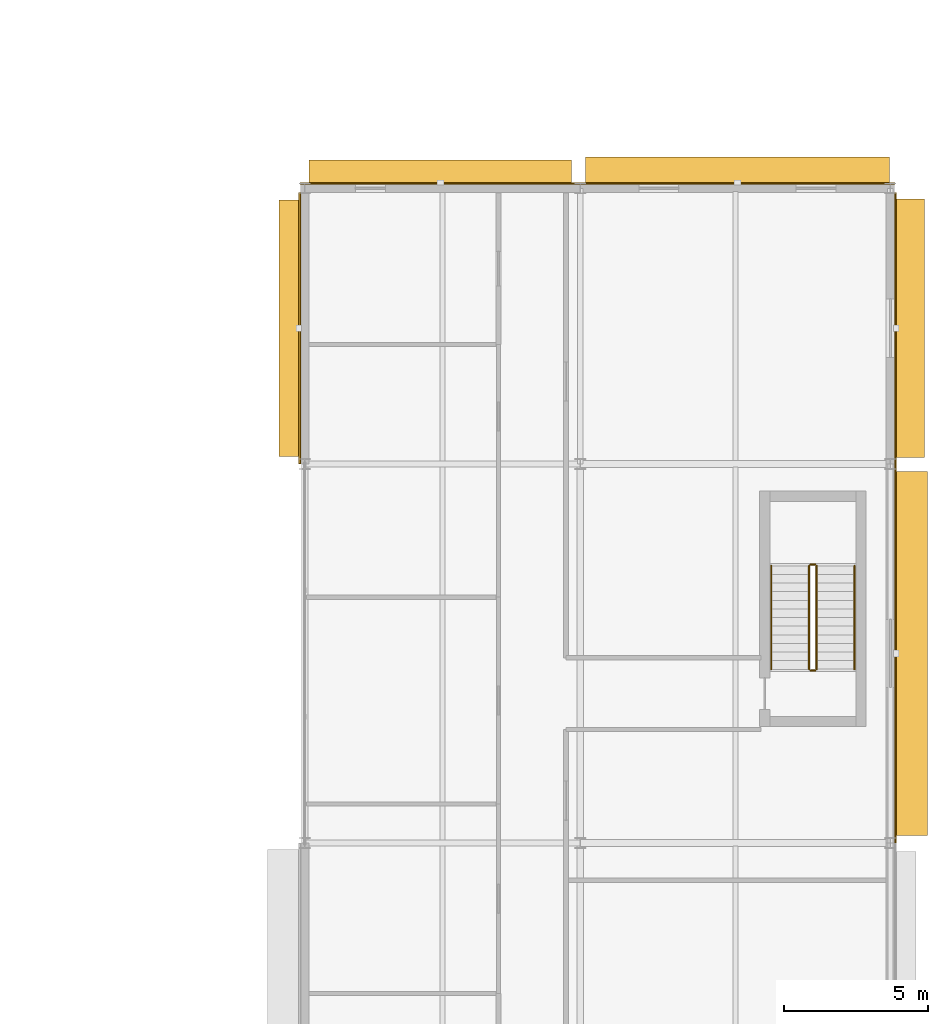
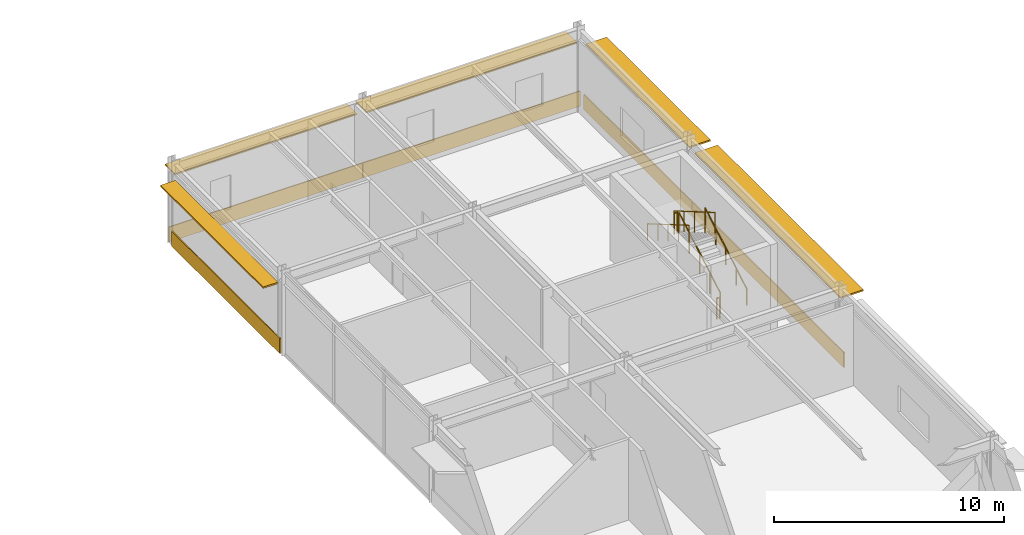
# One storey, part 116 of 116: 6 railings, 5 coverings, 5 shading devices.
"""IFC4 building model written with IfcOpenShell, lengths in metres."""

from ifc_helpers import new_model, si_unit, direction, frame, origin, origin_2d, place, context, subcontext, project, spatial, rectangle, circle, extrude, material, layer, layer_set, type_object, element, save


model = new_model("IFC4")

# Units and contexts
model_context = context("Model", 3, precision=1e-05, world=origin(), true_north=direction((0.0, 1.0)))
body_context = subcontext(model_context, "Body", "Model", "MODEL_VIEW")
ifc_project = project(units=[si_unit("LENGTHUNIT", "METRE"), si_unit("AREAUNIT", "SQUARE_METRE"), si_unit("VOLUMEUNIT", "CUBIC_METRE"), si_unit("PLANEANGLEUNIT", "RADIAN"), si_unit("MASSUNIT", "GRAM", prefix="KILO")], contexts=[model_context])

# Site, building, storey
site_placement = place(None, origin())
site = spatial("IfcSite", under=ifc_project, at=site_placement, CompositionType="ELEMENT")
building_placement = place(site_placement, origin())
building = spatial("IfcBuilding", under=site, at=building_placement, Name="Almandine Court Research Institute", CompositionType="ELEMENT")
storey_placement = place(building_placement, frame((0.0, 0.0, 14.35009765625)))
storey = spatial("IfcBuildingStorey", under=building, at=storey_placement, Name="L03", CompositionType="ELEMENT", Elevation=14.35009765625)

# Coverings
ifc_material_1 = material(Name="Extruded Cream-Ochre Seismic Terracotta Spandrel", Category="masonry")
ifc_layer_1 = layer(ifc_material_1, 0.054931640625)
ifc_layer_set_1 = layer_set([ifc_layer_1], Name="Extruded Cream-Ochre Seismic Terracotta Spandrel")
covering_type = type_object("IfcCoveringType", Name="Cov-CLAD-TERR", PredefinedType="CLADDING", material=ifc_layer_set_1)
covering_1_placement = place(storey_placement, frame((153.428955078125, 88.72705078125, 0.02001953125), z_axis=(0.0, 0.0, 1.0), x_axis=(0.0, 1.0, 0.0)))
element("IfcCovering", 1, at=covering_1_placement, inside=storey, type_object=covering_type, Name="L03 Facade Spandrel Cladding Band 157", PredefinedType="CLADDING", context=body_context, shape_type="SweptSolid", body=[
    extrude(rectangle(XDim=9.447021484375, YDim=0.054931640625, at=origin_2d()), origin(), (0.0, 0.0, 1.0), 0.800048828125),
])
covering_2_placement = place(storey_placement, frame((158.325927734375, 93.77001953125, 0.02001953125), z_axis=(0.0, 0.0, 1.0), x_axis=(1.0, 0.0, 0.0)))
element("IfcCovering", 2, at=covering_2_placement, inside=storey, type_object=covering_type, Name="L03 Facade Spandrel Cladding Band 158", PredefinedType="CLADDING", context=body_context, shape_type="SweptSolid", body=[
    extrude(rectangle(XDim=9.740966796875, YDim=0.054931640625, at=origin_2d()), origin(), (0.0, 0.0, 1.0), 0.800048828125),
])
covering_3_placement = place(storey_placement, frame((168.675048828125, 93.77001953125, 0.02001953125), z_axis=(0.0, 0.0, 1.0), x_axis=(1.0, 0.0, 0.0)))
element("IfcCovering", 3, at=covering_3_placement, inside=storey, type_object=covering_type, Name="L03 Facade Spandrel Cladding Band 159", PredefinedType="CLADDING", context=body_context, shape_type="SweptSolid", body=[
    extrude(rectangle(XDim=10.94091796875, YDim=0.054931640625, at=origin_2d()), origin(), (0.0, 0.0, 1.0), 0.800048828125),
])
covering_4_placement = place(storey_placement, frame((174.1708984375, 88.72705078125, 0.02001953125), z_axis=(0.0, 0.0, 1.0), x_axis=(0.0, -1.0, 0.0)))
element("IfcCovering", 4, at=covering_4_placement, inside=storey, type_object=covering_type, Name="L03 Facade Spandrel Cladding Band 160", PredefinedType="CLADDING", context=body_context, shape_type="SweptSolid", body=[
    extrude(rectangle(XDim=9.447021484375, YDim=0.054931640625, at=origin_2d()), origin(), (0.0, 0.0, 1.0), 0.800048828125),
])
covering_5_placement = place(storey_placement, frame((174.1708984375, 77.39990234375, 0.02001953125), z_axis=(0.0, 0.0, 1.0), x_axis=(0.0, -1.0, 0.0)))
element("IfcCovering", 5, at=covering_5_placement, inside=storey, type_object=covering_type, Name="L03 Facade Spandrel Cladding Band 161", PredefinedType="CLADDING", context=body_context, shape_type="SweptSolid", body=[
    extrude(rectangle(XDim=13.19189453125, YDim=0.054931640625, at=origin_2d()), origin(), (0.0, 0.0, 1.0), 0.800048828125),
])

# Railings
ifc_material_2 = material(Name="Powder-Coated Steel Stair and Atrium Balustrade", Category="steel")
railing_type_1 = type_object("IfcRailingType", Name="Rail-GUARD-INT", PredefinedType="BALUSTRADE", material=ifc_material_2)
railing_1_placement = place(storey_placement, frame((171.429931640625, 76.85009765625, 0.1748046875)))
element("IfcRailing", 6, at=railing_1_placement, inside=storey, type_object=railing_type_1, Name="L03 ST-13 stair guard 1", PredefinedType="BALUSTRADE", context=body_context, shape_type="SweptSolid", body=[
    extrude(circle(Radius=0.02392578125, at=origin_2d()), frame((0.0, 0.0, 1.09619140625), z_axis=(0.0, 0.863759778359, 0.503903805591), x_axis=(-1.0, 0.0, 0.0)), (0.0, 0.0, 1.0), 4.167724609375),
    extrude(circle(Radius=0.02099609375, at=origin_2d()), origin(), (0.0, 0.0, 1.0), 1.072021484375),
    extrude(circle(Radius=0.02099609375, at=origin_2d()), frame((0.0, 0.89990234375, 0.52490234375)), (0.0, 0.0, 1.0), 1.072021484375),
    extrude(circle(Radius=0.02099609375, at=origin_2d()), frame((0.0, 1.7998046875, 1.050048828125)), (0.0, 0.0, 1.0), 1.072021484375),
    extrude(circle(Radius=0.02099609375, at=origin_2d()), frame((0.0, 2.699951171875, 1.5751953125)), (0.0, 0.0, 1.0), 1.072021484375),
    extrude(circle(Radius=0.02099609375, at=origin_2d()), frame((0.0, 3.599853515625, 2.10009765625)), (0.0, 0.0, 1.0), 1.072021484375),
])
railing_2_placement = place(storey_placement, frame((171.3798828125, 80.5, 2.27490234375)))
element("IfcRailing", 7, at=railing_2_placement, inside=storey, type_object=railing_type_1, Name="L03 ST-13 stair guard 2", PredefinedType="BALUSTRADE", context=body_context, shape_type="SweptSolid", body=[
    extrude(circle(Radius=0.02392578125, at=origin_2d()), frame((0.0, 0.0, 1.09619140625), z_axis=(-1.0, 0.0, 0.0), x_axis=(0.0, -1.0, 0.0)), (0.0, 0.0, 1.0), 0.159912109375),
    extrude(circle(Radius=0.02099609375, at=origin_2d()), origin(), (0.0, 0.0, 1.0), 1.072021484375),
    extrude(circle(Radius=0.02099609375, at=origin_2d()), frame((-0.159912109375, 0.0, 0.0)), (0.0, 0.0, 1.0), 1.072021484375),
])
railing_3_placement = place(storey_placement, frame((171.169921875, 80.449951171875, 2.449951171875)))
element("IfcRailing", 8, at=railing_3_placement, inside=storey, type_object=railing_type_1, Name="L03 ST-13 stair guard 3", PredefinedType="BALUSTRADE", context=body_context, shape_type="SweptSolid", body=[
    extrude(circle(Radius=0.02392578125, at=origin_2d()), frame((0.0, 0.0, 1.09619140625), z_axis=(0.0, -0.86378527499, 0.503860098351), x_axis=(1.0, 0.0, 0.0)), (0.0, 0.0, 1.0), 4.16748046875),
    extrude(circle(Radius=0.02099609375, at=origin_2d()), origin(), (0.0, 0.0, 1.0), 1.072021484375),
    extrude(circle(Radius=0.02099609375, at=origin_2d()), frame((0.0, -0.89990234375, 0.52490234375)), (0.0, 0.0, 1.0), 1.072021484375),
    extrude(circle(Radius=0.02099609375, at=origin_2d()), frame((0.0, -1.7998046875, 1.0498046875)), (0.0, 0.0, 1.0), 1.072021484375),
    extrude(circle(Radius=0.02099609375, at=origin_2d()), frame((0.0, -2.699951171875, 1.574951171875)), (0.0, 0.0, 1.0), 1.072021484375),
    extrude(circle(Radius=0.02099609375, at=origin_2d()), frame((0.0, -3.599853515625, 2.099853515625)), (0.0, 0.0, 1.0), 1.072021484375),
])
railing_4_placement = place(storey_placement, frame((171.3798828125, 76.800048828125, 0.0)))
element("IfcRailing", 9, at=railing_4_placement, inside=storey, type_object=railing_type_1, Name="L03 ST-13 stair guard 4", PredefinedType="BALUSTRADE", context=body_context, shape_type="SweptSolid", body=[
    extrude(circle(Radius=0.02392578125, at=origin_2d()), frame((0.0, 0.0, 1.09619140625), z_axis=(-1.0, 0.0, 0.0), x_axis=(0.0, -1.0, 0.0)), (0.0, 0.0, 1.0), 0.159912109375),
    extrude(circle(Radius=0.02099609375, at=origin_2d()), origin(), (0.0, 0.0, 1.0), 1.072021484375),
    extrude(circle(Radius=0.02099609375, at=origin_2d()), frame((-0.159912109375, 0.0, 0.0)), (0.0, 0.0, 1.0), 1.072021484375),
])
ifc_material_3 = material(Name="Brushed Stainless Steel Wall Handrail", Category="steel")
railing_type_2 = type_object("IfcRailingType", Name="Rail-HAND-INT", PredefinedType="HANDRAIL", material=ifc_material_3)
railing_5_placement = place(storey_placement, frame((172.75, 76.85009765625, 0.1748046875)))
element("IfcRailing", 10, at=railing_5_placement, inside=storey, type_object=railing_type_2, Name="L03 ST-13 stair handrail 1", PredefinedType="HANDRAIL", context=body_context, shape_type="SweptSolid", body=[
    extrude(circle(Radius=0.02392578125, at=origin_2d()), frame((0.0, 0.0, 0.8759765625), z_axis=(0.0, 0.863759778359, 0.503903805591), x_axis=(-1.0, 0.0, 0.0)), (0.0, 0.0, 1.0), 4.167724609375),
    extrude(circle(Radius=0.02099609375, at=origin_2d()), origin(), (0.0, 0.0, 1.0), 0.851806640625),
    extrude(circle(Radius=0.02099609375, at=origin_2d()), frame((0.0, 0.89990234375, 0.52490234375)), (0.0, 0.0, 1.0), 0.851806640625),
    extrude(circle(Radius=0.02099609375, at=origin_2d()), frame((0.0, 1.7998046875, 1.050048828125)), (0.0, 0.0, 1.0), 0.851806640625),
    extrude(circle(Radius=0.02099609375, at=origin_2d()), frame((0.0, 2.699951171875, 1.5751953125)), (0.0, 0.0, 1.0), 0.851806640625),
    extrude(circle(Radius=0.02099609375, at=origin_2d()), frame((0.0, 3.599853515625, 2.10009765625)), (0.0, 0.0, 1.0), 0.851806640625),
])
railing_6_placement = place(storey_placement, frame((169.85009765625, 80.449951171875, 2.449951171875)))
element("IfcRailing", 11, at=railing_6_placement, inside=storey, type_object=railing_type_2, Name="L03 ST-13 stair handrail 2", PredefinedType="HANDRAIL", context=body_context, shape_type="SweptSolid", body=[
    extrude(circle(Radius=0.02392578125, at=origin_2d()), frame((0.0, 0.0, 0.8759765625), z_axis=(0.0, -0.86378527499, 0.503860098351), x_axis=(1.0, 0.0, 0.0)), (0.0, 0.0, 1.0), 4.16748046875),
    extrude(circle(Radius=0.02099609375, at=origin_2d()), origin(), (0.0, 0.0, 1.0), 0.851806640625),
    extrude(circle(Radius=0.02099609375, at=origin_2d()), frame((0.0, -0.89990234375, 0.52490234375)), (0.0, 0.0, 1.0), 0.851806640625),
    extrude(circle(Radius=0.02099609375, at=origin_2d()), frame((0.0, -1.7998046875, 1.0498046875)), (0.0, 0.0, 1.0), 0.851806640625),
    extrude(circle(Radius=0.02099609375, at=origin_2d()), frame((0.0, -2.699951171875, 1.574951171875)), (0.0, 0.0, 1.0), 0.851806640625),
    extrude(circle(Radius=0.02099609375, at=origin_2d()), frame((0.0, -3.599853515625, 2.099853515625)), (0.0, 0.0, 1.0), 0.851806640625),
])

# Shading devices
ifc_material_4 = material(Name="Precast GFRC Chhajja Sunshade and Acoustic Louvre", Category="concrete")
ifc_layer_2 = layer(ifc_material_4, 0.080078125)
ifc_layer_set_2 = layer_set([ifc_layer_2], Name="Precast GFRC Chhajja Sunshade and Acoustic Louvre")
shading_device_type_1 = type_object("IfcShadingDeviceType", Name="Shd-SD-26", PredefinedType="AWNING", material=ifc_layer_set_2)
shading_device_1_placement = place(storey_placement, frame((174.659912109375, 88.72705078125, 3.556884765625), z_axis=(0.0, 0.0, 1.0), x_axis=(0.0, -1.0, 0.0)))
element("IfcShadingDevice", 12, at=shading_device_1_placement, inside=storey, type_object=shading_device_type_1, Name="L03 Projecting Chhajja Sunshade 109", PredefinedType="AWNING", context=body_context, shape_type="SweptSolid", body=[
    extrude(rectangle(XDim=9.01708984375, YDim=1.050048828125, at=origin_2d()), origin(), (0.0, 0.0, 1.0), 0.080078125),
])
ifc_layer_3 = layer(ifc_material_4, 0.080078125)
ifc_layer_set_3 = layer_set([ifc_layer_3], Name="Precast GFRC Chhajja Sunshade and Acoustic Louvre")
shading_device_type_2 = type_object("IfcShadingDeviceType", Name="Shd-SD-53", PredefinedType="AWNING", material=ifc_layer_set_3)
shading_device_2_placement = place(storey_placement, frame((158.325927734375, 94.159912109375, 3.48388671875), z_axis=(0.0, 0.0, 1.0), x_axis=(1.0, 0.0, 0.0)))
element("IfcShadingDevice", 13, at=shading_device_2_placement, inside=storey, type_object=shading_device_type_2, Name="L03 Projecting Chhajja Sunshade 107", PredefinedType="AWNING", context=body_context, shape_type="SweptSolid", body=[
    extrude(rectangle(XDim=9.15087890625, YDim=0.85009765625, at=origin_2d()), origin(), (0.0, 0.0, 1.0), 0.080078125),
])
ifc_layer_4 = layer(ifc_material_4, 0.080078125)
ifc_layer_set_4 = layer_set([ifc_layer_4], Name="Precast GFRC Chhajja Sunshade and Acoustic Louvre")
shading_device_type_3 = type_object("IfcShadingDeviceType", Name="Shd-SD-60", PredefinedType="AWNING", material=ifc_layer_set_4)
shading_device_3_placement = place(storey_placement, frame((153.090087890625, 88.72705078125, 3.56689453125), z_axis=(0.0, 0.0, 1.0), x_axis=(0.0, 1.0, 0.0)))
element("IfcShadingDevice", 14, at=shading_device_3_placement, inside=storey, type_object=shading_device_type_3, Name="L03 Projecting Chhajja Sunshade 106", PredefinedType="AWNING", context=body_context, shape_type="SweptSolid", body=[
    extrude(rectangle(XDim=8.93701171875, YDim=0.75, at=origin_2d()), origin(), (0.0, 0.0, 1.0), 0.080078125),
])
ifc_layer_5 = layer(ifc_material_4, 0.080078125)
ifc_layer_set_5 = layer_set([ifc_layer_5], Name="Precast GFRC Chhajja Sunshade and Acoustic Louvre")
shading_device_type_4 = type_object("IfcShadingDeviceType", Name="Shd-SD-61", PredefinedType="AWNING", material=ifc_layer_set_5)
shading_device_4_placement = place(storey_placement, frame((168.675048828125, 94.2099609375, 3.406982421875), z_axis=(0.0, 0.0, 1.0), x_axis=(1.0, 0.0, 0.0)))
element("IfcShadingDevice", 15, at=shading_device_4_placement, inside=storey, type_object=shading_device_type_4, Name="L03 Projecting Chhajja Sunshade 108", PredefinedType="AWNING", context=body_context, shape_type="SweptSolid", body=[
    extrude(rectangle(XDim=10.591064453125, YDim=0.949951171875, at=origin_2d()), origin(), (0.0, 0.0, 1.0), 0.080078125),
])
ifc_layer_6 = layer(ifc_material_4, 0.080078125)
ifc_layer_set_6 = layer_set([ifc_layer_6], Name="Precast GFRC Chhajja Sunshade and Acoustic Louvre")
shading_device_type_5 = type_object("IfcShadingDeviceType", Name="Shd-SD-62", PredefinedType="AWNING", material=ifc_layer_set_6)
shading_device_5_placement = place(storey_placement, frame((174.7099609375, 77.39990234375, 3.535888671875), z_axis=(0.0, 0.0, 1.0), x_axis=(0.0, -1.0, 0.0)))
element("IfcShadingDevice", 16, at=shading_device_5_placement, inside=storey, type_object=shading_device_type_5, Name="L03 Projecting Chhajja Sunshade 110", PredefinedType="AWNING", context=body_context, shape_type="SweptSolid", body=[
    extrude(rectangle(XDim=12.681884765625, YDim=1.14990234375, at=origin_2d()), origin(), (0.0, 0.0, 1.0), 0.080078125),
])

save(model, "model.ifc")
